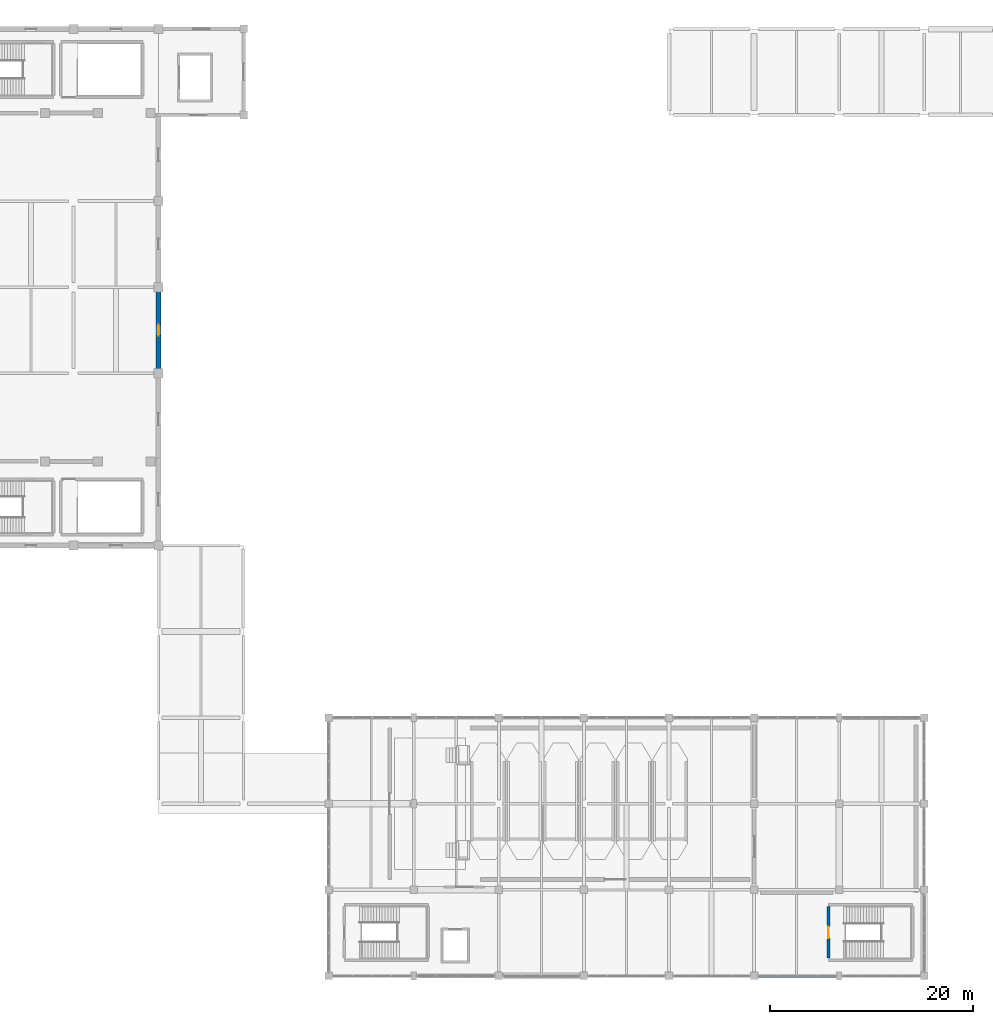
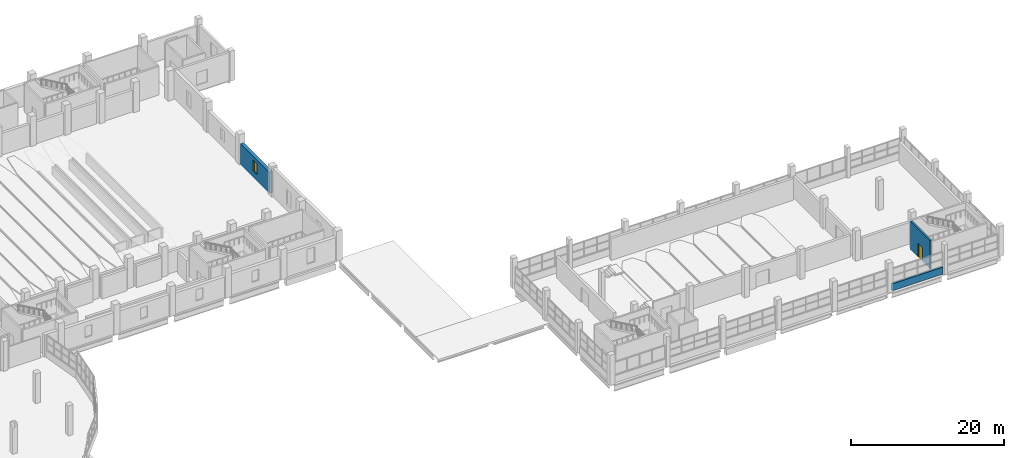
# One storey, part 102 of 117: 3 walls, 1 door, 1 window, 2 openings.
"""IFC4 building model written with IfcOpenShell, lengths in metres."""

from ifc_helpers import new_model, si_unit, direction, frame, frame_2d, origin, place, context, subcontext, project, spatial, rectangle, extrude, material, layer, layer_set, type_object, element, fill, save


model = new_model("IFC4")

# Units and contexts
model_context = context("Model", 3, precision=1e-05, world=origin(), true_north=direction((0.0, 1.0)))
body_context = subcontext(model_context, "Body", "Model", "MODEL_VIEW")
ifc_project = project(units=[si_unit("LENGTHUNIT", "METRE"), si_unit("AREAUNIT", "SQUARE_METRE"), si_unit("VOLUMEUNIT", "CUBIC_METRE"), si_unit("PLANEANGLEUNIT", "RADIAN"), si_unit("MASSUNIT", "GRAM", prefix="KILO")], contexts=[model_context])

# Site, building, storey
site_placement = place(None, origin())
site = spatial("IfcSite", under=ifc_project, at=site_placement, CompositionType="ELEMENT")
building_placement = place(site_placement, origin())
building = spatial("IfcBuilding", under=site, at=building_placement, Name="Solvento Point Concert Hall", CompositionType="ELEMENT")
storey_placement = place(building_placement, frame((0.0, 0.0, 5.39990234375)))
storey = spatial("IfcBuildingStorey", under=building, at=storey_placement, Name="L01", CompositionType="ELEMENT", Elevation=5.39990234375)

# Wall, opening, door
ifc_material_1 = material(Name="Concrete C40/50", Category="concrete")
ifc_layer_1 = layer(ifc_material_1, 0.300048828125)
ifc_layer_set_1 = layer_set([ifc_layer_1], Name="Concrete C40/50")
wall_type_1 = type_object("IfcWallType", Name="CoreShearWall_300", PredefinedType="SHEAR", material=ifc_layer_set_1)
wall_1_placement = place(storey_placement, frame((199.35009765625, 1.75, 0.0), z_axis=(0.0, 0.0, 1.0), x_axis=(0.0, 1.0, 0.0)))
wall_1 = element("IfcWall", 1, at=wall_1_placement, inside=storey, type_object=wall_type_1, Name="Stair core shear wall W-SH1 ST-09 L01", PredefinedType="SHEAR", context=body_context, shape_type="SweptSolid", body=[
    extrude(rectangle(XDim=5.10009765625, YDim=0.25, at=frame_2d((2.550048828125, 0.0))), origin(), (0.0, 0.0, 1.0), 4.530029296875),
])
opening_1_placement = place(wall_1_placement, frame((1.97509765625, 0.0, 0.0)))
opening_1 = element("IfcOpeningElement", 2, at=opening_1_placement, cuts=wall_1, Name="Opening D-ST1", PredefinedType="OPENING", context=body_context, shape_type="SweptSolid", body=[
    extrude(rectangle(XDim=1.14990234375, YDim=2.179931640625, at=frame_2d((0.574951171875, 1.08984375))), frame((0.0, 0.135009765625, 0.0), z_axis=(0.0, -1.0, 0.0), x_axis=(1.0, 0.0, 0.0)), (0.0, 0.0, 1.0), 0.27001953125),
])
ifc_material_2 = material(Name="Hollow Metal Acoustic Fire Door")
door_type = type_object("IfcDoorType", Name="StairFireDoor_1150", OperationType="NOTDEFINED", PredefinedType="DOOR", material=ifc_material_2)
door_placement = place(opening_1_placement, origin())
door = element("IfcDoor", 3, at=door_placement, inside=storey, type_object=door_type, Name="Protected exit stair door ST-09 L01", OperationType="SINGLE_SWING_RIGHT", OverallHeight=2.179931640625, OverallWidth=1.14990234375, PredefinedType="DOOR", context=body_context, shape_type="SweptSolid", body=[
    extrude(rectangle(XDim=1.14990234375, YDim=2.179931640625, at=frame_2d((0.574951171875, 1.08984375))), frame((0.0, 0.02490234375, 0.0), z_axis=(0.0, -1.0, 0.0), x_axis=(1.0, 0.0, 0.0)), (0.0, 0.0, 1.0), 0.050048828125),
])
fill(opening_1, door)

# Wall, opening, window
ifc_material_3 = material(Name="Concrete C40/50", Category="concrete")
ifc_layer_2 = layer(ifc_material_3, 0.47998046875)
ifc_layer_set_2 = layer_set([ifc_layer_2], Name="Concrete C40/50")
wall_type_2 = type_object("IfcWallType", Name="ExtWall_V1_Drum_480", PredefinedType="SOLIDWALL", material=ifc_layer_set_2)
wall_2_placement = place(storey_placement, frame((133.199951171875, 67.570068359375, 0.0), z_axis=(0.0, 0.0, 1.0), x_axis=(0.0, -1.0, 0.0)))
wall_2 = element("IfcWall", 4, at=wall_2_placement, inside=storey, type_object=wall_type_2, Name="Exterior architectural concrete wall EW-46 L01", PredefinedType="SOLIDWALL", context=body_context, shape_type="SweptSolid", body=[
    extrude(rectangle(XDim=7.64013671875, YDim=0.47998046875, at=frame_2d((3.820068359375, 0.0))), origin(), (0.0, 0.0, 1.0), 3.318115234375),
])
opening_2_placement = place(wall_2_placement, frame((3.294921875, 0.0, 0.949951171875)))
opening_2 = element("IfcOpeningElement", 5, at=opening_2_placement, cuts=wall_2, Name="Opening WN-89", PredefinedType="OPENING", context=body_context, shape_type="SweptSolid", body=[
    extrude(rectangle(XDim=1.050048828125, YDim=1.800048828125, at=frame_2d((0.52490234375, 0.89990234375))), frame((0.0, 0.25, 0.0), z_axis=(0.0, -1.0, 0.0), x_axis=(1.0, 0.0, 0.0)), (0.0, 0.0, 1.0), 0.5),
])
ifc_material_4 = material(Name="Hurricane Laminated Low-E Glass", Category="glass")
window_type = type_object("IfcWindowType", Name="Win_NarrowPier_1050", PartitioningType="SINGLE_PANEL", PredefinedType="WINDOW", material=ifc_material_4)
window_placement = place(opening_2_placement, origin())
window = element("IfcWindow", 6, at=window_placement, inside=storey, type_object=window_type, Name="Impact acoustic window WN-89", OverallHeight=1.800048828125, OverallWidth=1.050048828125, PartitioningType="SINGLE_PANEL", PredefinedType="WINDOW", context=body_context, shape_type="SweptSolid", body=[
    extrude(rectangle(XDim=1.050048828125, YDim=1.800048828125, at=frame_2d((0.52490234375, 0.89990234375))), frame((0.0, 0.030029296875, 0.0), z_axis=(0.0, -1.0, 0.0), x_axis=(1.0, 0.0, 0.0)), (0.0, 0.0, 1.0), 0.06005859375),
])
fill(opening_2, window)

# Wall
ifc_material_5 = material(Name="Concrete C40/50", Category="concrete")
ifc_layer_3 = layer(ifc_material_5, 0.260009765625)
ifc_layer_set_3 = layer_set([ifc_layer_3], Name="Concrete C40/50")
wall_type_3 = type_object("IfcWallType", Name="Parapet_Ring_260", PredefinedType="PARAPET", material=ifc_layer_set_3)
wall_3_placement = place(storey_placement, frame((200.1298828125, 0.0, 0.0), z_axis=(0.0, 0.0, 1.0), x_axis=(-1.0, 0.0, 0.0)))
element("IfcWall", 7, at=wall_3_placement, inside=storey, type_object=wall_type_3, Name="Sliding elliptical white concrete ring spandrel PR-01 L01", PredefinedType="PARAPET", context=body_context, shape_type="SweptSolid", body=[
    extrude(rectangle(XDim=7.73486328125, YDim=0.260009765625, at=frame_2d((3.867431640625, 0.0))), origin(), (0.0, 0.0, 1.0), 1.1201171875),
])

save(model, "model.ifc")
